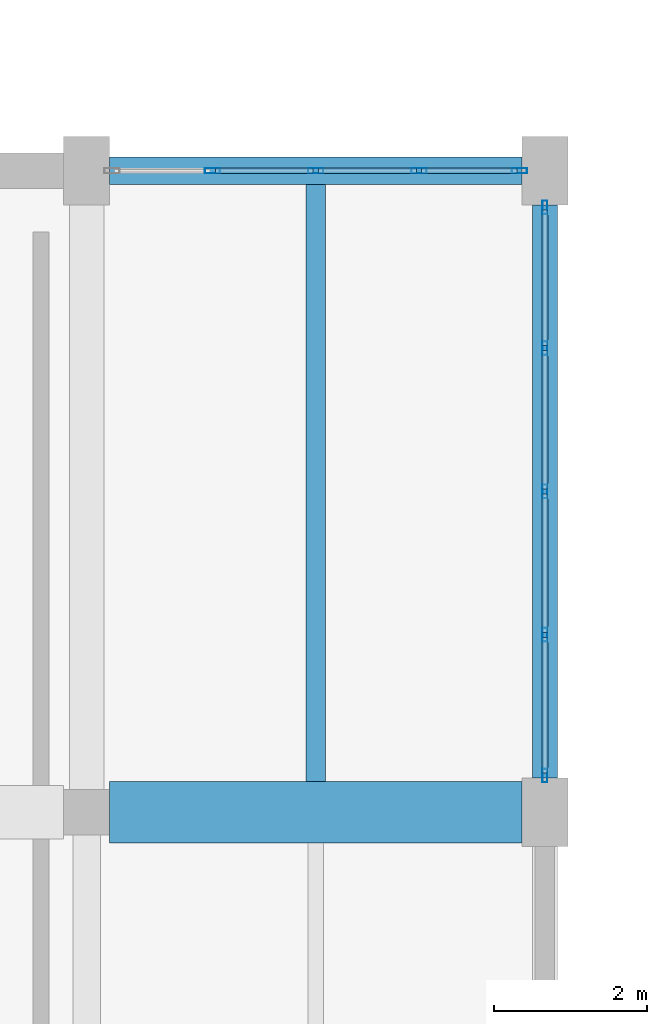
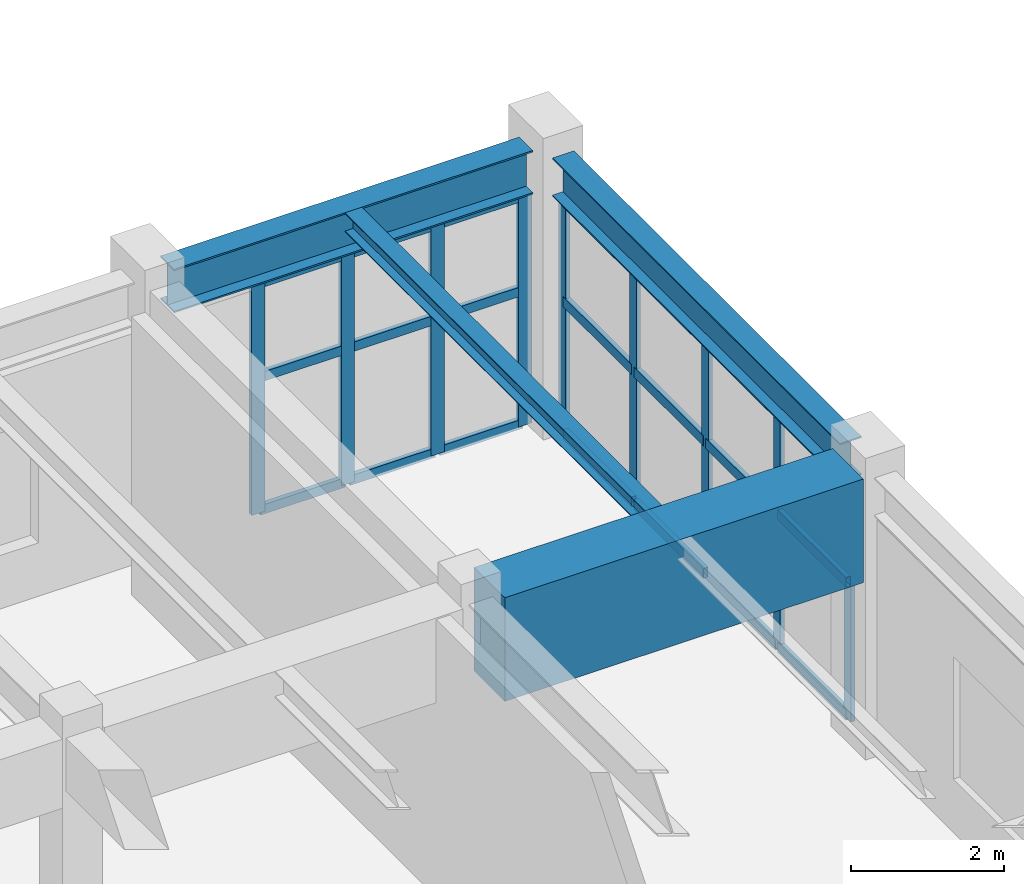
# One storey, part 43 of 85: 30 members, 4 beams, 2 elements without a shape of their own.
"""IFC4 building model written with IfcOpenShell, lengths in metres."""

from ifc_helpers import new_model, si_unit, direction, frame, origin, origin_2d, place, context, subcontext, project, spatial, rectangle, hollow_rectangle, i_section, extrude, material, layer, layer_set, material_profile, profile_set, type_object, element, aggregate, save


model = new_model("IFC4")

# Units and contexts
model_context = context("Model", 3, precision=1e-05, world=origin(), true_north=direction((0.0, 1.0)))
body_context = subcontext(model_context, "Body", "Model", "MODEL_VIEW")
ifc_project = project(units=[si_unit("LENGTHUNIT", "METRE"), si_unit("AREAUNIT", "SQUARE_METRE"), si_unit("VOLUMEUNIT", "CUBIC_METRE"), si_unit("PLANEANGLEUNIT", "RADIAN"), si_unit("MASSUNIT", "GRAM", prefix="KILO")], contexts=[model_context])

# Site, building, storey
site_placement = place(None, origin())
site = spatial("IfcSite", under=ifc_project, at=site_placement, CompositionType="ELEMENT")
building_placement = place(site_placement, origin())
building = spatial("IfcBuilding", under=site, at=building_placement, Name="Vaelkrest Opera House", CompositionType="ELEMENT")
storey_placement = place(building_placement, frame((0.0, 0.0, 10.199951171875)))
storey = spatial("IfcBuildingStorey", under=building, at=storey_placement, Name="L02", CompositionType="ELEMENT", Elevation=10.199951171875)

# Beam
ifc_material_1 = material(Name="Concrete C50/60", Category="concrete")
ifc_material_profile_1 = material_profile(ifc_material_1, rectangle(XDim=0.800048828125, YDim=1.64990234375, at=origin_2d()), Name="RCB800X1650")
ifc_profile_set_1 = profile_set([ifc_material_profile_1], Name="Concrete C50/60")
beam_type_1 = type_object("IfcBeamType", Name="B07", PredefinedType="BEAM", material=ifc_profile_set_1)
beam_1_placement = place(storey_placement, frame((-39.300048828125, 25.199951171875, 3.6201171875), z_axis=(1.0, 0.0, 0.0), x_axis=(0.0, 1.0, 0.0)))
element("IfcBeam", 1, at=beam_1_placement, inside=storey, type_object=beam_type_1, Name="Beam BM-V3-L02-1656", PredefinedType="BEAM", context=body_context, shape_type="SweptSolid", body=[
    extrude(rectangle(XDim=0.800048828125, YDim=1.64990234375, at=origin_2d()), origin(), (0.0, 0.0, 1.0), 5.400146484375),
])

# Curtain wall, members
ifc_material_2 = material(Name="Dark bronze anodized aluminium", Category="aluminium")
ifc_layer_1 = layer(ifc_material_2, 0.219970703125)
ifc_layer_set_1 = layer_set([ifc_layer_1], Name="Dark bronze anodized aluminium")
curtain_wall_type_1 = type_object("IfcCurtainWallType", Name="CW05", PredefinedType="NOTDEFINED", material=ifc_layer_set_1)
curtain_wall_1_placement = place(storey_placement, origin())
curtain_wall_1 = element("IfcCurtainWall", 2, at=curtain_wall_1_placement, inside=storey, type_object=curtain_wall_type_1, Name="Curtain wall CW-L02-123", PredefinedType="NOTDEFINED")
ifc_material_profile_2 = material_profile(ifc_material_2, hollow_rectangle(XDim=0.06494140625, YDim=0.179931640625, WallThickness=0.00390625, at=origin_2d()), Name="CWM65X180")
ifc_profile_set_2 = profile_set([ifc_material_profile_2], Name="Dark bronze anodized aluminium")
member_type_1 = type_object("IfcMemberType", Name="CWM01", PredefinedType="MULLION", material=ifc_profile_set_2)
member_1_placement = place(storey_placement, frame((-33.60009765625, 33.119384765625, 0.0), z_axis=(0.0, 0.0, 1.0), x_axis=(1.0, 0.0, 0.0)))
member_1 = element("IfcMember", 3, at=member_1_placement, type_object=member_type_1, Name="CW05 mullion 1", PredefinedType="MULLION", context=body_context, shape_type="SweptSolid", body=[
    extrude(hollow_rectangle(XDim=0.06494140625, YDim=0.179931640625, WallThickness=0.00390625, at=origin_2d()), origin(), (0.0, 0.0, 1.0), 3.76904296875),
])
member_2_placement = place(storey_placement, frame((-33.60009765625, 31.27587890625, 0.0), z_axis=(0.0, 0.0, 1.0), x_axis=(1.0, 0.0, 0.0)))
member_2 = element("IfcMember", 4, at=member_2_placement, type_object=member_type_1, Name="CW05 mullion 2", PredefinedType="MULLION", context=body_context, shape_type="SweptSolid", body=[
    extrude(hollow_rectangle(XDim=0.06494140625, YDim=0.179931640625, WallThickness=0.00390625, at=origin_2d()), origin(), (0.0, 0.0, 1.0), 3.76904296875),
])
member_3_placement = place(storey_placement, frame((-33.60009765625, 29.39990234375, 0.0), z_axis=(0.0, 0.0, 1.0), x_axis=(1.0, 0.0, 0.0)))
member_3 = element("IfcMember", 5, at=member_3_placement, type_object=member_type_1, Name="CW05 mullion 3", PredefinedType="MULLION", context=body_context, shape_type="SweptSolid", body=[
    extrude(hollow_rectangle(XDim=0.06494140625, YDim=0.179931640625, WallThickness=0.00390625, at=origin_2d()), origin(), (0.0, 0.0, 1.0), 3.76904296875),
])
member_4_placement = place(storey_placement, frame((-33.60009765625, 27.52392578125, 0.0), z_axis=(0.0, 0.0, 1.0), x_axis=(1.0, 0.0, 0.0)))
member_4 = element("IfcMember", 6, at=member_4_placement, type_object=member_type_1, Name="CW05 mullion 4", PredefinedType="MULLION", context=body_context, shape_type="SweptSolid", body=[
    extrude(hollow_rectangle(XDim=0.06494140625, YDim=0.179931640625, WallThickness=0.00390625, at=origin_2d()), origin(), (0.0, 0.0, 1.0), 3.76904296875),
])
member_5_placement = place(storey_placement, frame((-33.60009765625, 25.680419921875, 0.0), z_axis=(0.0, 0.0, 1.0), x_axis=(1.0, 0.0, 0.0)))
member_5 = element("IfcMember", 7, at=member_5_placement, type_object=member_type_1, Name="CW05 mullion 5", PredefinedType="MULLION", context=body_context, shape_type="SweptSolid", body=[
    extrude(hollow_rectangle(XDim=0.06494140625, YDim=0.179931640625, WallThickness=0.00390625, at=origin_2d()), origin(), (0.0, 0.0, 1.0), 3.76904296875),
])

ifc_layer_2 = layer(ifc_material_2, 0.18994140625)
ifc_layer_set_2 = layer_set([ifc_layer_2], Name="Dark bronze anodized aluminium")
curtain_wall_type_2 = type_object("IfcCurtainWallType", Name="CW02", PredefinedType="NOTDEFINED", material=ifc_layer_set_2)
curtain_wall_2_placement = place(storey_placement, origin())
curtain_wall_2 = element("IfcCurtainWall", 8, at=curtain_wall_2_placement, inside=storey, type_object=curtain_wall_type_2, Name="Curtain wall CW-L02-122", PredefinedType="NOTDEFINED")
ifc_material_profile_3 = material_profile(ifc_material_2, hollow_rectangle(XDim=0.070068359375, YDim=0.199951171875, WallThickness=0.004150390625, at=origin_2d()), Name="CWM70X200")
ifc_profile_set_3 = profile_set([ifc_material_profile_3], Name="Dark bronze anodized aluminium")
member_type_2 = type_object("IfcMemberType", Name="CWM02", PredefinedType="MULLION", material=ifc_profile_set_3)
member_6_placement = place(storey_placement, frame((-37.950927734375, 33.60009765625, 0.0), z_axis=(0.0, 0.0, 1.0), x_axis=(0.0, 1.0, 0.0)))
member_6 = element("IfcMember", 9, at=member_6_placement, type_object=member_type_2, Name="CW02 mullion 2", PredefinedType="MULLION", context=body_context, shape_type="SweptSolid", body=[
    extrude(hollow_rectangle(XDim=0.070068359375, YDim=0.199951171875, WallThickness=0.004150390625, at=origin_2d()), origin(), (0.0, 0.0, 1.0), 3.68505859375),
])
member_7_placement = place(storey_placement, frame((-36.60009765625, 33.60009765625, 0.0), z_axis=(0.0, 0.0, 1.0), x_axis=(0.0, 1.0, 0.0)))
member_7 = element("IfcMember", 10, at=member_7_placement, type_object=member_type_2, Name="CW02 mullion 3", PredefinedType="MULLION", context=body_context, shape_type="SweptSolid", body=[
    extrude(hollow_rectangle(XDim=0.070068359375, YDim=0.199951171875, WallThickness=0.004150390625, at=origin_2d()), origin(), (0.0, 0.0, 1.0), 3.68505859375),
])
member_8_placement = place(storey_placement, frame((-35.2490234375, 33.60009765625, 0.0), z_axis=(0.0, 0.0, 1.0), x_axis=(0.0, 1.0, 0.0)))
member_8 = element("IfcMember", 11, at=member_8_placement, type_object=member_type_2, Name="CW02 mullion 4", PredefinedType="MULLION", context=body_context, shape_type="SweptSolid", body=[
    extrude(hollow_rectangle(XDim=0.070068359375, YDim=0.199951171875, WallThickness=0.004150390625, at=origin_2d()), origin(), (0.0, 0.0, 1.0), 3.68505859375),
])
member_9_placement = place(storey_placement, frame((-33.93310546875, 33.60009765625, 0.0), z_axis=(0.0, 0.0, 1.0), x_axis=(0.0, 1.0, 0.0)))
member_9 = element("IfcMember", 12, at=member_9_placement, type_object=member_type_2, Name="CW02 mullion 5", PredefinedType="MULLION", context=body_context, shape_type="SweptSolid", body=[
    extrude(hollow_rectangle(XDim=0.070068359375, YDim=0.199951171875, WallThickness=0.004150390625, at=origin_2d()), origin(), (0.0, 0.0, 1.0), 3.68505859375),
])
ifc_material_profile_4 = material_profile(ifc_material_2, hollow_rectangle(XDim=0.070068359375, YDim=0.14990234375, WallThickness=0.004150390625, at=origin_2d()), Name="CWT70X150")
ifc_profile_set_4 = profile_set([ifc_material_profile_4], Name="Dark bronze anodized aluminium")
member_type_3 = type_object("IfcMemberType", Name="CWT02", PredefinedType="USERDEFINED", material=ifc_profile_set_4)
member_10_placement = place(storey_placement, frame((-37.916015625, 33.60009765625, 0.03515625), z_axis=(1.0, 0.0, 0.0), x_axis=(0.0, 1.0, 0.0)))
member_10 = element("IfcMember", 13, at=member_10_placement, type_object=member_type_3, Name="CW02 transom 2.1", ObjectType="TRANSOM", PredefinedType="USERDEFINED", context=body_context, shape_type="SweptSolid", body=[
    extrude(hollow_rectangle(XDim=0.070068359375, YDim=0.14990234375, WallThickness=0.004150390625, at=origin_2d()), origin(), (0.0, 0.0, 1.0), 1.281005859375),
])
member_11_placement = place(storey_placement, frame((-37.916015625, 33.60009765625, 2.150146484375), z_axis=(1.0, 0.0, 0.0), x_axis=(0.0, 1.0, 0.0)))
member_11 = element("IfcMember", 14, at=member_11_placement, type_object=member_type_3, Name="CW02 transom 2.2", ObjectType="TRANSOM", PredefinedType="USERDEFINED", context=body_context, shape_type="SweptSolid", body=[
    extrude(hollow_rectangle(XDim=0.070068359375, YDim=0.14990234375, WallThickness=0.004150390625, at=origin_2d()), origin(), (0.0, 0.0, 1.0), 1.281005859375),
])
member_12_placement = place(storey_placement, frame((-37.916015625, 33.60009765625, 3.650146484375), z_axis=(1.0, 0.0, 0.0), x_axis=(0.0, 1.0, 0.0)))
member_12 = element("IfcMember", 15, at=member_12_placement, type_object=member_type_3, Name="CW02 transom 2.3", ObjectType="TRANSOM", PredefinedType="USERDEFINED", context=body_context, shape_type="SweptSolid", body=[
    extrude(hollow_rectangle(XDim=0.070068359375, YDim=0.14990234375, WallThickness=0.004150390625, at=origin_2d()), origin(), (0.0, 0.0, 1.0), 1.281005859375),
])
member_13_placement = place(storey_placement, frame((-36.56494140625, 33.60009765625, 0.03515625), z_axis=(1.0, 0.0, 0.0), x_axis=(0.0, 1.0, 0.0)))
member_13 = element("IfcMember", 16, at=member_13_placement, type_object=member_type_3, Name="CW02 transom 3.1", ObjectType="TRANSOM", PredefinedType="USERDEFINED", context=body_context, shape_type="SweptSolid", body=[
    extrude(hollow_rectangle(XDim=0.070068359375, YDim=0.14990234375, WallThickness=0.004150390625, at=origin_2d()), origin(), (0.0, 0.0, 1.0), 1.281005859375),
])
member_14_placement = place(storey_placement, frame((-36.56494140625, 33.60009765625, 2.150146484375), z_axis=(1.0, 0.0, 0.0), x_axis=(0.0, 1.0, 0.0)))
member_14 = element("IfcMember", 17, at=member_14_placement, type_object=member_type_3, Name="CW02 transom 3.2", ObjectType="TRANSOM", PredefinedType="USERDEFINED", context=body_context, shape_type="SweptSolid", body=[
    extrude(hollow_rectangle(XDim=0.070068359375, YDim=0.14990234375, WallThickness=0.004150390625, at=origin_2d()), origin(), (0.0, 0.0, 1.0), 1.281005859375),
])
member_15_placement = place(storey_placement, frame((-36.56494140625, 33.60009765625, 3.650146484375), z_axis=(1.0, 0.0, 0.0), x_axis=(0.0, 1.0, 0.0)))
member_15 = element("IfcMember", 18, at=member_15_placement, type_object=member_type_3, Name="CW02 transom 3.3", ObjectType="TRANSOM", PredefinedType="USERDEFINED", context=body_context, shape_type="SweptSolid", body=[
    extrude(hollow_rectangle(XDim=0.070068359375, YDim=0.14990234375, WallThickness=0.004150390625, at=origin_2d()), origin(), (0.0, 0.0, 1.0), 1.281005859375),
])
member_16_placement = place(storey_placement, frame((-35.214111328125, 33.60009765625, 0.03515625), z_axis=(1.0, 0.0, 0.0), x_axis=(0.0, 1.0, 0.0)))
member_16 = element("IfcMember", 19, at=member_16_placement, type_object=member_type_3, Name="CW02 transom 4.1", ObjectType="TRANSOM", PredefinedType="USERDEFINED", context=body_context, shape_type="SweptSolid", body=[
    extrude(hollow_rectangle(XDim=0.070068359375, YDim=0.14990234375, WallThickness=0.004150390625, at=origin_2d()), origin(), (0.0, 0.0, 1.0), 1.24609375),
])
member_17_placement = place(storey_placement, frame((-35.214111328125, 33.60009765625, 2.150146484375), z_axis=(1.0, 0.0, 0.0), x_axis=(0.0, 1.0, 0.0)))
member_17 = element("IfcMember", 20, at=member_17_placement, type_object=member_type_3, Name="CW02 transom 4.2", ObjectType="TRANSOM", PredefinedType="USERDEFINED", context=body_context, shape_type="SweptSolid", body=[
    extrude(hollow_rectangle(XDim=0.070068359375, YDim=0.14990234375, WallThickness=0.004150390625, at=origin_2d()), origin(), (0.0, 0.0, 1.0), 1.24609375),
])
member_18_placement = place(storey_placement, frame((-35.214111328125, 33.60009765625, 3.650146484375), z_axis=(1.0, 0.0, 0.0), x_axis=(0.0, 1.0, 0.0)))
member_18 = element("IfcMember", 21, at=member_18_placement, type_object=member_type_3, Name="CW02 transom 4.3", ObjectType="TRANSOM", PredefinedType="USERDEFINED", context=body_context, shape_type="SweptSolid", body=[
    extrude(hollow_rectangle(XDim=0.070068359375, YDim=0.14990234375, WallThickness=0.004150390625, at=origin_2d()), origin(), (0.0, 0.0, 1.0), 1.24609375),
])
aggregate(curtain_wall_2, [member_6, member_7, member_8, member_9, member_10, member_11, member_12, member_13, member_14, member_15, member_16, member_17, member_18])

# Member
ifc_material_profile_5 = material_profile(ifc_material_2, hollow_rectangle(XDim=0.074951171875, YDim=0.159912109375, WallThickness=0.00439453125, at=origin_2d()), Name="CWT75X160")
ifc_profile_set_5 = profile_set([ifc_material_profile_5], Name="Dark bronze anodized aluminium")
member_type_4 = type_object("IfcMemberType", Name="CWT03", PredefinedType="USERDEFINED", material=ifc_profile_set_5)
member_19_placement = place(storey_placement, frame((-33.60009765625, 33.0869140625, 0.03759765625), z_axis=(0.0, -1.0, 0.0), x_axis=(1.0, 0.0, 0.0)))
member_19 = element("IfcMember", 22, at=member_19_placement, type_object=member_type_4, Name="CW05 transom 1.1", ObjectType="TRANSOM", PredefinedType="USERDEFINED", context=body_context, shape_type="SweptSolid", body=[
    extrude(hollow_rectangle(XDim=0.074951171875, YDim=0.159912109375, WallThickness=0.00439453125, at=origin_2d()), origin(), (0.0, 0.0, 1.0), 1.7783203125),
])

member_20_placement = place(storey_placement, frame((-33.60009765625, 33.0869140625, 2.150146484375), z_axis=(0.0, -1.0, 0.0), x_axis=(1.0, 0.0, 0.0)))
member_20 = element("IfcMember", 23, at=member_20_placement, type_object=member_type_4, Name="CW05 transom 1.2", ObjectType="TRANSOM", PredefinedType="USERDEFINED", context=body_context, shape_type="SweptSolid", body=[
    extrude(hollow_rectangle(XDim=0.074951171875, YDim=0.159912109375, WallThickness=0.00439453125, at=origin_2d()), origin(), (0.0, 0.0, 1.0), 1.7783203125),
])

member_21_placement = place(storey_placement, frame((-33.60009765625, 33.0869140625, 3.7314453125), z_axis=(0.0, -1.0, 0.0), x_axis=(1.0, 0.0, 0.0)))
member_21 = element("IfcMember", 24, at=member_21_placement, type_object=member_type_4, Name="CW05 transom 1.3", ObjectType="TRANSOM", PredefinedType="USERDEFINED", context=body_context, shape_type="SweptSolid", body=[
    extrude(hollow_rectangle(XDim=0.074951171875, YDim=0.159912109375, WallThickness=0.00439453125, at=origin_2d()), origin(), (0.0, 0.0, 1.0), 1.7783203125),
])

member_22_placement = place(storey_placement, frame((-33.60009765625, 31.243408203125, 0.03759765625), z_axis=(0.0, -1.0, 0.0), x_axis=(1.0, 0.0, 0.0)))
member_22 = element("IfcMember", 25, at=member_22_placement, type_object=member_type_4, Name="CW05 transom 2.1", ObjectType="TRANSOM", PredefinedType="USERDEFINED", context=body_context, shape_type="SweptSolid", body=[
    extrude(hollow_rectangle(XDim=0.074951171875, YDim=0.159912109375, WallThickness=0.00439453125, at=origin_2d()), origin(), (0.0, 0.0, 1.0), 1.810791015625),
])

member_23_placement = place(storey_placement, frame((-33.60009765625, 31.243408203125, 2.150146484375), z_axis=(0.0, -1.0, 0.0), x_axis=(1.0, 0.0, 0.0)))
member_23 = element("IfcMember", 26, at=member_23_placement, type_object=member_type_4, Name="CW05 transom 2.2", ObjectType="TRANSOM", PredefinedType="USERDEFINED", context=body_context, shape_type="SweptSolid", body=[
    extrude(hollow_rectangle(XDim=0.074951171875, YDim=0.159912109375, WallThickness=0.00439453125, at=origin_2d()), origin(), (0.0, 0.0, 1.0), 1.810791015625),
])

member_24_placement = place(storey_placement, frame((-33.60009765625, 31.243408203125, 3.7314453125), z_axis=(0.0, -1.0, 0.0), x_axis=(1.0, 0.0, 0.0)))
member_24 = element("IfcMember", 27, at=member_24_placement, type_object=member_type_4, Name="CW05 transom 2.3", ObjectType="TRANSOM", PredefinedType="USERDEFINED", context=body_context, shape_type="SweptSolid", body=[
    extrude(hollow_rectangle(XDim=0.074951171875, YDim=0.159912109375, WallThickness=0.00439453125, at=origin_2d()), origin(), (0.0, 0.0, 1.0), 1.810791015625),
])

member_25_placement = place(storey_placement, frame((-33.60009765625, 29.367431640625, 0.03759765625), z_axis=(0.0, -1.0, 0.0), x_axis=(1.0, 0.0, 0.0)))
member_25 = element("IfcMember", 28, at=member_25_placement, type_object=member_type_4, Name="CW05 transom 3.1", ObjectType="TRANSOM", PredefinedType="USERDEFINED", context=body_context, shape_type="SweptSolid", body=[
    extrude(hollow_rectangle(XDim=0.074951171875, YDim=0.159912109375, WallThickness=0.00439453125, at=origin_2d()), origin(), (0.0, 0.0, 1.0), 1.81103515625),
])

member_26_placement = place(storey_placement, frame((-33.60009765625, 29.367431640625, 2.150146484375), z_axis=(0.0, -1.0, 0.0), x_axis=(1.0, 0.0, 0.0)))
member_26 = element("IfcMember", 29, at=member_26_placement, type_object=member_type_4, Name="CW05 transom 3.2", ObjectType="TRANSOM", PredefinedType="USERDEFINED", context=body_context, shape_type="SweptSolid", body=[
    extrude(hollow_rectangle(XDim=0.074951171875, YDim=0.159912109375, WallThickness=0.00439453125, at=origin_2d()), origin(), (0.0, 0.0, 1.0), 1.81103515625),
])

member_27_placement = place(storey_placement, frame((-33.60009765625, 29.367431640625, 3.7314453125), z_axis=(0.0, -1.0, 0.0), x_axis=(1.0, 0.0, 0.0)))
member_27 = element("IfcMember", 30, at=member_27_placement, type_object=member_type_4, Name="CW05 transom 3.3", ObjectType="TRANSOM", PredefinedType="USERDEFINED", context=body_context, shape_type="SweptSolid", body=[
    extrude(hollow_rectangle(XDim=0.074951171875, YDim=0.159912109375, WallThickness=0.00439453125, at=origin_2d()), origin(), (0.0, 0.0, 1.0), 1.81103515625),
])

member_28_placement = place(storey_placement, frame((-33.60009765625, 27.491455078125, 0.03759765625), z_axis=(0.0, -1.0, 0.0), x_axis=(1.0, 0.0, 0.0)))
member_28 = element("IfcMember", 31, at=member_28_placement, type_object=member_type_4, Name="CW05 transom 4.1", ObjectType="TRANSOM", PredefinedType="USERDEFINED", context=body_context, shape_type="SweptSolid", body=[
    extrude(hollow_rectangle(XDim=0.074951171875, YDim=0.159912109375, WallThickness=0.00439453125, at=origin_2d()), origin(), (0.0, 0.0, 1.0), 1.778564453125),
])

member_29_placement = place(storey_placement, frame((-33.60009765625, 27.491455078125, 2.150146484375), z_axis=(0.0, -1.0, 0.0), x_axis=(1.0, 0.0, 0.0)))
member_29 = element("IfcMember", 32, at=member_29_placement, type_object=member_type_4, Name="CW05 transom 4.2", ObjectType="TRANSOM", PredefinedType="USERDEFINED", context=body_context, shape_type="SweptSolid", body=[
    extrude(hollow_rectangle(XDim=0.074951171875, YDim=0.159912109375, WallThickness=0.00439453125, at=origin_2d()), origin(), (0.0, 0.0, 1.0), 1.778564453125),
])

member_30_placement = place(storey_placement, frame((-33.60009765625, 27.491455078125, 3.7314453125), z_axis=(0.0, -1.0, 0.0), x_axis=(1.0, 0.0, 0.0)))
member_30 = element("IfcMember", 33, at=member_30_placement, type_object=member_type_4, Name="CW05 transom 4.3", ObjectType="TRANSOM", PredefinedType="USERDEFINED", context=body_context, shape_type="SweptSolid", body=[
    extrude(hollow_rectangle(XDim=0.074951171875, YDim=0.159912109375, WallThickness=0.00439453125, at=origin_2d()), origin(), (0.0, 0.0, 1.0), 1.778564453125),
])

aggregate(curtain_wall_1, [member_1, member_2, member_3, member_4, member_5, member_19, member_20, member_21, member_22, member_23, member_24, member_25, member_26, member_27, member_28, member_29, member_30])

# Beams
ifc_material_3 = material(Name="Steel A992 Gr50", Category="steel")
ifc_material_profile_6 = material_profile(ifc_material_3, i_section(OverallWidth=0.25390625, OverallDepth=0.305908203125, WebThickness=0.0087890625, FlangeThickness=0.0146484375, at=origin_2d()), Name="W12X53")
ifc_profile_set_6 = profile_set([ifc_material_profile_6], Name="Steel A992 Gr50")
beam_type_2 = type_object("IfcBeamType", Name="J03", PredefinedType="JOIST", material=ifc_profile_set_6)
beam_2_placement = place(storey_placement, frame((-36.60009765625, 25.60009765625, 4.2919921875), z_axis=(0.0, 1.0, 0.0), x_axis=(-1.0, 0.0, 0.0)))
element("IfcBeam", 34, at=beam_2_placement, inside=storey, type_object=beam_type_2, Name="Floor joist JST-V3-L02-1733", PredefinedType="JOIST", context=body_context, shape_type="SweptSolid", body=[
    extrude(i_section(OverallWidth=0.25390625, OverallDepth=0.305908203125, WebThickness=0.0087890625, FlangeThickness=0.0146484375, at=origin_2d()), origin(), (0.0, 0.0, 1.0), 7.822509765625),
])
ifc_material_profile_7 = material_profile(ifc_material_3, i_section(OverallWidth=0.323974609375, OverallDepth=0.611083984375, WebThickness=0.0126953125, FlangeThickness=0.01904296875, at=origin_2d()), Name="W24X104")
ifc_profile_set_7 = profile_set([ifc_material_profile_7], Name="Steel A992 Gr50")
beam_type_3 = type_object("IfcBeamType", Name="SP01", PredefinedType="SPANDREL", material=ifc_profile_set_7)
beam_3_placement = place(storey_placement, frame((-33.60009765625, 25.64990234375, 4.1396484375), z_axis=(0.0, 1.0, 0.0), x_axis=(-1.0, 0.0, 0.0)))
element("IfcBeam", 35, at=beam_3_placement, inside=storey, type_object=beam_type_3, Name="Beam BM-V3-L02-1705", PredefinedType="SPANDREL", context=body_context, shape_type="SweptSolid", body=[
    extrude(i_section(OverallWidth=0.323974609375, OverallDepth=0.611083984375, WebThickness=0.0126953125, FlangeThickness=0.01904296875, at=origin_2d()), origin(), (0.0, 0.0, 1.0), 7.5),
])
ifc_material_profile_8 = material_profile(ifc_material_3, i_section(OverallWidth=0.35498046875, OverallDepth=0.695068359375, WebThickness=0.015380859375, FlangeThickness=0.02490234375, at=origin_2d()), Name="W27X146")
ifc_profile_set_8 = profile_set([ifc_material_profile_8], Name="Steel A992 Gr50")
beam_type_4 = type_object("IfcBeamType", Name="SP02", PredefinedType="SPANDREL", material=ifc_profile_set_8)
beam_4_placement = place(storey_placement, frame((-39.300048828125, 33.60009765625, 4.09765625), z_axis=(1.0, 0.0, 0.0), x_axis=(0.0, 1.0, 0.0)))
element("IfcBeam", 36, at=beam_4_placement, inside=storey, type_object=beam_type_4, Name="Beam BM-V3-L02-1663", PredefinedType="SPANDREL", context=body_context, shape_type="SweptSolid", body=[
    extrude(i_section(OverallWidth=0.35498046875, OverallDepth=0.695068359375, WebThickness=0.015380859375, FlangeThickness=0.02490234375, at=origin_2d()), origin(), (0.0, 0.0, 1.0), 5.400146484375),
])

save(model, "model.ifc")
